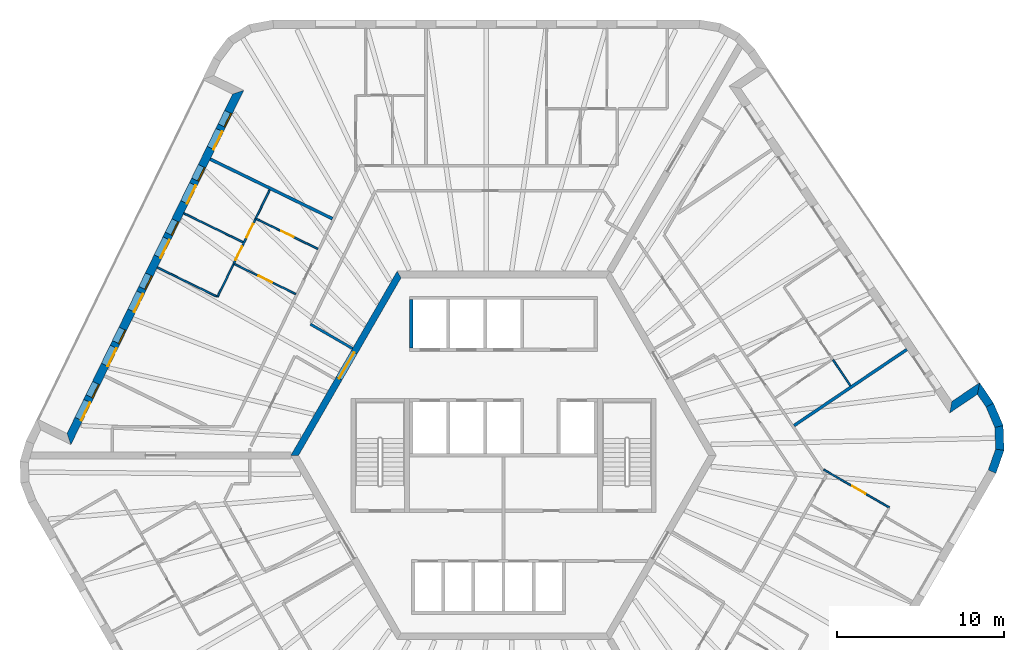
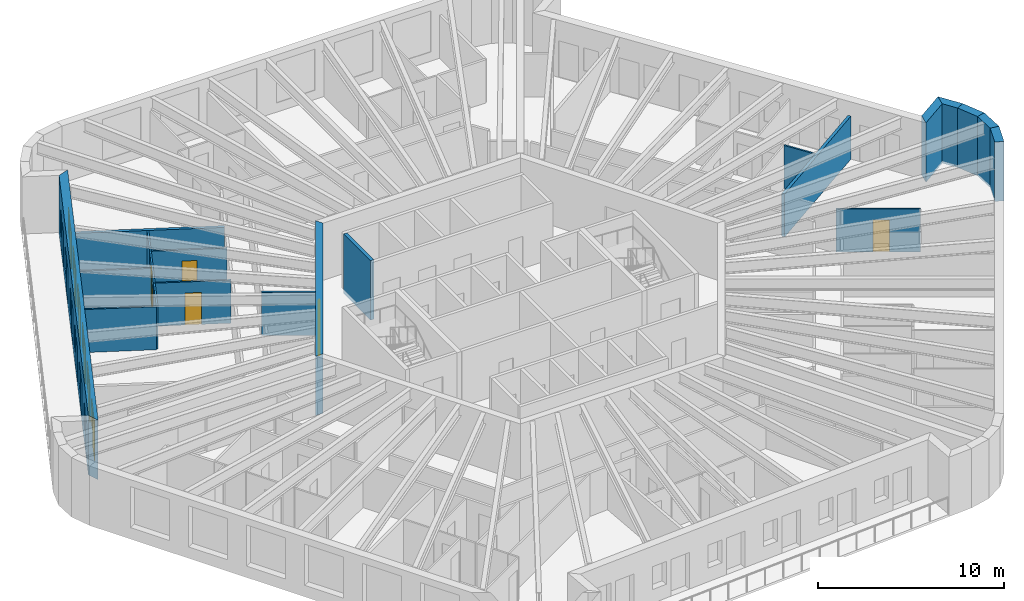
# One storey, part 8 of 12: 20 walls, 12 doors, 6 windows, 18 openings.
"""IFC4 building model written with IfcOpenShell, lengths in metres."""

from ifc_helpers import new_model, si_unit, direction, frame, frame_2d, origin, place, context, subcontext, project, spatial, polyline, rectangle, outline, extrude, material, layer, layer_set, type_object, element, fill, save


model = new_model("IFC4")

# Units and contexts
model_context = context("Model", 3, precision=1e-05, world=origin(), true_north=direction((0.0, 1.0)))
body_context = subcontext(model_context, "Body", "Model", "MODEL_VIEW")
ifc_project = project(units=[si_unit("LENGTHUNIT", "METRE"), si_unit("AREAUNIT", "SQUARE_METRE"), si_unit("VOLUMEUNIT", "CUBIC_METRE"), si_unit("PLANEANGLEUNIT", "RADIAN"), si_unit("MASSUNIT", "GRAM", prefix="KILO")], contexts=[model_context])

# Site, building, storey
site_placement = place(None, origin())
site = spatial("IfcSite", under=ifc_project, at=site_placement, CompositionType="ELEMENT")
building_placement = place(site_placement, origin())
building = spatial("IfcBuilding", under=site, at=building_placement, Name="Tarnside Tower", CompositionType="ELEMENT")
storey_placement = place(building_placement, frame((0.0, 0.0, 264.0)))
storey = spatial("IfcBuildingStorey", under=building, at=storey_placement, Name="L63", CompositionType="ELEMENT", Elevation=264.0)

# Wall, opening, door
ifc_material_1 = material(Name="Gypsum board partition on steel studs", Category="steel")
ifc_layer_1 = layer(ifc_material_1, 0.10009765625)
ifc_layer_set_1 = layer_set([ifc_layer_1], Name="Bathroom wall 100")
wall_type_1 = type_object("IfcWallType", Name="Bathroom wall 100", PredefinedType="PARTITIONING", material=ifc_layer_set_1)
wall_1_placement = place(storey_placement, frame((-11.09033203125, 12.334716796875, 0.0), z_axis=(0.0, 0.0, 1.0), x_axis=(-0.898787215731, 0.438385151252, 0.0)))
wall_1 = element("IfcWall", 1, at=wall_1_placement, inside=storey, type_object=wall_type_1, Name="Bathroom wall 20102", PredefinedType="PARTITIONING", context=body_context, shape_type="SweptSolid", body=[
    extrude(rectangle(XDim=4.125, YDim=0.10009765625, at=frame_2d((2.0625, 0.0))), origin(), (0.0, 0.0, 1.0), 2.823486328125),
])
opening_1_placement = place(wall_1_placement, frame((1.625, 0.0, 0.0)))
opening_1 = element("IfcOpeningElement", 2, at=opening_1_placement, cuts=wall_1, Name="Opening D-B1", PredefinedType="OPENING", context=body_context, shape_type="SweptSolid", body=[
    extrude(rectangle(XDim=0.800048828125, YDim=2.10009765625, at=frame_2d((0.39990234375, 1.050048828125))), frame((0.0, 0.06005859375, 0.0), z_axis=(0.0, -1.0, 0.0), x_axis=(1.0, 0.0, 0.0)), (0.0, 0.0, 1.0), 0.1201171875),
])
ifc_material_2 = material(Name="Timber door leaf", Category="wood")
door_type_1 = type_object("IfcDoorType", Name="Bathroom door 800", OperationType="NOTDEFINED", PredefinedType="DOOR", material=ifc_material_2)
door_1_placement = place(opening_1_placement, origin())
door_1 = element("IfcDoor", 3, at=door_1_placement, inside=storey, type_object=door_type_1, Name="Bathroom door 20016", OperationType="SINGLE_SWING_RIGHT", OverallHeight=2.10009765625, OverallWidth=0.800048828125, PredefinedType="DOOR", context=body_context, shape_type="SweptSolid", body=[
    extrude(rectangle(XDim=0.800048828125, YDim=2.10009765625, at=frame_2d((0.39990234375, 1.050048828125))), frame((0.0, 0.02490234375, 0.0), z_axis=(0.0, -1.0, 0.0), x_axis=(1.0, 0.0, 0.0)), (0.0, 0.0, 1.0), 0.050048828125),
])
fill(opening_1, door_1)

# Walls
wall_2_placement = place(storey_placement, frame((-13.96044921875, 15.859619140625, 0.0), z_axis=(0.0, 0.0, 1.0), x_axis=(-0.438355705964, -0.898801577128, 0.0)))
element("IfcWall", 4, at=wall_2_placement, inside=storey, type_object=wall_type_1, Name="Bathroom wall 20105", PredefinedType="PARTITIONING", context=body_context, shape_type="SweptSolid", body=[
    extrude(rectangle(XDim=1.912109375, YDim=0.10009765625, at=frame_2d((0.9560546875, 0.0))), origin(), (0.0, 0.0, 1.0), 2.823486328125),
])
wall_3_placement = place(storey_placement, frame((20.715087890625, 4.16015625, 0.0), z_axis=(0.0, 0.0, 1.0), x_axis=(-0.559200351269, 0.829032548903, 0.0)))
element("IfcWall", 5, at=wall_3_placement, inside=storey, type_object=wall_type_1, Name="Bathroom wall 20166", PredefinedType="PARTITIONING", context=body_context, shape_type="SweptSolid", body=[
    extrude(rectangle(XDim=1.862060546875, YDim=0.10009765625, at=frame_2d((0.93115234375, 0.0))), origin(), (0.0, 0.0, 1.0), 2.823486328125),
])

# Wall, opening, door
ifc_material_3 = material(Name="Concrete C60/75", Category="concrete")
ifc_layer_2 = layer(ifc_material_3, 0.39990234375)
ifc_layer_set_2 = layer_set([ifc_layer_2], Name="Core wall Z3 400 C60/75")
wall_type_2 = type_object("IfcWallType", Name="Core wall Z3 400 C60/75", PredefinedType="SHEAR", material=ifc_layer_set_2)
wall_4_placement = place(storey_placement, frame((-6.2353515625, 10.800048828125, -0.14990234375), z_axis=(0.0, 0.0, 1.0), x_axis=(-0.499996419489, -0.866027470984, 0.0)))
wall_4 = element("IfcWall", 6, at=wall_4_placement, inside=storey, type_object=wall_type_2, Name="L63 core wall face 2", PredefinedType="SHEAR", context=body_context, shape_type="SweptSolid", body=[
    extrude(outline(polyline([(-0.115478515625, -0.199951171875), (12.586181640625, -0.199951171875), (12.355224609375, 0.199951171875), (0.115478515625, 0.199951171875), (-0.115478515625, -0.199951171875)])), origin(), (0.0, 0.0, 1.0), 3.89990234375),
])
opening_2_placement = place(wall_4_placement, frame((5.3642578125, 0.0, 0.14990234375)))
opening_2 = element("IfcOpeningElement", 7, at=opening_2_placement, cuts=wall_4, Name="Opening CD-LOB", PredefinedType="OPENING", context=body_context, shape_type="SweptSolid", body=[
    extrude(rectangle(XDim=1.800048828125, YDim=2.39990234375, at=frame_2d((0.89990234375, 1.199951171875))), frame((0.0, 0.2099609375, 0.0), z_axis=(0.0, -1.0, 0.0), x_axis=(1.0, 0.0, 0.0)), (0.0, 0.0, 1.0), 0.419921875),
])
ifc_material_4 = material(Name="Steel fire door", Category="steel")
door_type_2 = type_object("IfcDoorType", Name="Lobby double door FD30S 1800x2400", OperationType="NOTDEFINED", PredefinedType="DOOR", material=ifc_material_4)
door_2_placement = place(opening_2_placement, origin())
door_2 = element("IfcDoor", 8, at=door_2_placement, inside=storey, type_object=door_type_2, Name="L63 core door P1", OperationType="DOUBLE_DOOR_SINGLE_SWING", OverallHeight=2.39990234375, OverallWidth=1.800048828125, PredefinedType="DOOR", context=body_context, shape_type="SweptSolid", body=[
    extrude(rectangle(XDim=1.800048828125, YDim=2.39990234375, at=frame_2d((0.89990234375, 1.199951171875))), frame((0.0, 0.02490234375, 0.0), z_axis=(0.0, -1.0, 0.0), x_axis=(1.0, 0.0, 0.0)), (0.0, 0.0, 1.0), 0.050048828125),
])
fill(opening_2, door_2)

# Walls
ifc_layer_3 = layer(ifc_material_1, 0.14990234375)
ifc_layer_set_3 = layer_set([ifc_layer_3], Name="Corridor wall 150 EI 60")
wall_type_3 = type_object("IfcWallType", Name="Corridor wall 150 EI 60", PredefinedType="PARTITIONING", material=ifc_layer_set_3)
wall_5_placement = place(storey_placement, frame((-9.015625, 6.38427734375, 0.0), z_axis=(0.0, 0.0, 1.0), x_axis=(-0.866010648346, 0.500025556299, 0.0)))
element("IfcWall", 9, at=wall_5_placement, inside=storey, type_object=wall_type_3, Name="Corridor wall 20017", PredefinedType="PARTITIONING", context=body_context, shape_type="SweptSolid", body=[
    extrude(rectangle(XDim=2.905029296875, YDim=0.14990234375, at=frame_2d((1.45263671875, 0.0))), origin(), (0.0, 0.0, 1.0), 2.823486328125),
])
ifc_layer_4 = layer(ifc_material_1, 0.179931640625)
ifc_layer_set_4 = layer_set([ifc_layer_4], Name="Demising wall 180 EI 60")
wall_type_4 = type_object("IfcWallType", Name="Demising wall 180 EI 60", PredefinedType="PARTITIONING", material=ifc_layer_set_4)
for number, where, z_axis, x_axis, name in (
    (10, (-17.51611328125, 17.694091796875, 0.0), (0.0, 0.0, 1.0), (0.898794723364, -0.438369758597, 0.0), "Demising wall 20093"),
    (11, (24.08154296875, 6.322509765625, 0.0), (0.0, 0.0, 1.0), (-0.829033253898, -0.55919930609, 0.0), "Demising wall 20154"),
):
    element("IfcWall", number, at=place(storey_placement, frame(where, z_axis=z_axis, x_axis=x_axis)), inside=storey, type_object=wall_type_4, Name=name, PredefinedType="PARTITIONING", context=body_context, shape_type="SweptSolid", body=[
        extrude(rectangle(XDim=8.125, YDim=0.179931640625, at=frame_2d((4.0625, 0.0))), origin(), (0.0, 0.0, 1.0), 2.823486328125),
    ])
ifc_material_5 = material(Name="Concrete C40/50", Category="concrete")
ifc_layer_5 = layer(ifc_material_5, 0.199951171875)
ifc_layer_set_5 = layer_set([ifc_layer_5], Name="Lift shaft wall 200 C40/50")
wall_type_5 = type_object("IfcWallType", Name="Lift shaft wall 200 C40/50", PredefinedType="SHEAR", material=ifc_layer_set_5)
wall_6_placement = place(storey_placement, frame((-5.5, 6.39990234375, -0.25), z_axis=(0.0, 0.0, 1.0), x_axis=(0.0, 1.0, 0.0)))
element("IfcWall", 12, at=wall_6_placement, inside=storey, type_object=wall_type_5, Name="L63 lift shaft partition R11", PredefinedType="SHEAR", context=body_context, shape_type="SweptSolid", body=[
    extrude(rectangle(XDim=2.900146484375, YDim=0.199951171875, at=frame_2d((1.4501953125, 0.0))), origin(), (0.0, 0.0, 1.0), 3.89990234375),
])

# Wall, openings, doors, windows
ifc_material_6 = material(Name="Dark zinc cladding")
ifc_layer_6 = layer(ifc_material_6, 0.10205078125)
ifc_material_7 = material(Name="Concrete C60/75 precast", Category="concrete")
ifc_layer_7 = layer(ifc_material_7, 0.298095703125)
ifc_material_8 = material(Name="Mineral wool insulation")
ifc_layer_8 = layer(ifc_material_8, 0.10009765625)
ifc_layer_set_6 = layer_set([ifc_layer_6, ifc_layer_7, ifc_layer_8], Name="Loggia wall 500 zinc faced")
wall_type_6 = type_object("IfcWallType", Name="Loggia wall 500 zinc faced", PredefinedType="SOLIDWALL", material=ifc_layer_set_6)
wall_7_placement = place(storey_placement, frame((-15.845947265625, 21.6884765625, -0.14990234375), z_axis=(0.0, 0.0, 1.0), x_axis=(-0.438377502627, -0.898790946322, 0.0)))
wall_7 = element("IfcWall", 13, at=wall_7_placement, inside=storey, type_object=wall_type_6, Name="Tube wall L63 F2 back 06", PredefinedType="SOLIDWALL", context=body_context, shape_type="SweptSolid", body=[
    extrude(outline(polyline([(0.25, -0.25), (22.794677734375, -0.25), (23.294677734375, 0.25), (-0.25, 0.25), (0.25, -0.25)])), origin(), (0.0, 0.0, 1.0), 3.89990234375),
])
opening_3_placement = place(wall_7_placement, frame((1.322509765625, 0.0, 1.050048828125)))
opening_3 = element("IfcOpeningElement", 14, at=opening_3_placement, cuts=wall_7, Name="Opening WL500", PredefinedType="OPENING", context=body_context, shape_type="SweptSolid", body=[
    extrude(rectangle(XDim=0.89990234375, YDim=1.5, at=frame_2d((0.449951171875, 0.75))), frame((0.0, 0.260009765625, 0.0), z_axis=(0.0, -1.0, 0.0), x_axis=(1.0, 0.0, 0.0)), (0.0, 0.0, 1.0), 0.52001953125),
])
opening_4_placement = place(wall_7_placement, frame((2.5224609375, 0.0, 0.14990234375)))
opening_4 = element("IfcOpeningElement", 15, at=opening_4_placement, cuts=wall_7, Name="Opening DB500", PredefinedType="OPENING", context=body_context, shape_type="SweptSolid", body=[
    extrude(rectangle(XDim=1.199951171875, YDim=2.39990234375, at=frame_2d((0.60009765625, 1.199951171875))), frame((0.0, 0.260009765625, 0.0), z_axis=(0.0, -1.0, 0.0), x_axis=(1.0, 0.0, 0.0)), (0.0, 0.0, 1.0), 0.52001953125),
])
opening_5_placement = place(wall_7_placement, frame((4.92236328125, 0.0, 1.050048828125)))
opening_5 = element("IfcOpeningElement", 16, at=opening_5_placement, cuts=wall_7, Name="Opening WL500", PredefinedType="OPENING", context=body_context, shape_type="SweptSolid", body=[
    extrude(rectangle(XDim=0.89990234375, YDim=1.5, at=frame_2d((0.449951171875, 0.75))), frame((0.0, 0.260009765625, 0.0), z_axis=(0.0, -1.0, 0.0), x_axis=(1.0, 0.0, 0.0)), (0.0, 0.0, 1.0), 0.52001953125),
])
opening_6_placement = place(wall_7_placement, frame((6.122314453125, 0.0, 0.14990234375)))
opening_6 = element("IfcOpeningElement", 17, at=opening_6_placement, cuts=wall_7, Name="Opening DB500", PredefinedType="OPENING", context=body_context, shape_type="SweptSolid", body=[
    extrude(rectangle(XDim=1.199951171875, YDim=2.39990234375, at=frame_2d((0.60009765625, 1.199951171875))), frame((0.0, 0.260009765625, 0.0), z_axis=(0.0, -1.0, 0.0), x_axis=(1.0, 0.0, 0.0)), (0.0, 0.0, 1.0), 0.52001953125),
])
opening_7_placement = place(wall_7_placement, frame((8.5224609375, 0.0, 1.050048828125)))
opening_7 = element("IfcOpeningElement", 18, at=opening_7_placement, cuts=wall_7, Name="Opening WL500", PredefinedType="OPENING", context=body_context, shape_type="SweptSolid", body=[
    extrude(rectangle(XDim=0.89990234375, YDim=1.5, at=frame_2d((0.449951171875, 0.75))), frame((0.0, 0.260009765625, 0.0), z_axis=(0.0, -1.0, 0.0), x_axis=(1.0, 0.0, 0.0)), (0.0, 0.0, 1.0), 0.52001953125),
])
opening_8_placement = place(wall_7_placement, frame((9.722412109375, 0.0, 0.14990234375)))
opening_8 = element("IfcOpeningElement", 19, at=opening_8_placement, cuts=wall_7, Name="Opening DB500", PredefinedType="OPENING", context=body_context, shape_type="SweptSolid", body=[
    extrude(rectangle(XDim=1.199951171875, YDim=2.39990234375, at=frame_2d((0.60009765625, 1.199951171875))), frame((0.0, 0.260009765625, 0.0), z_axis=(0.0, -1.0, 0.0), x_axis=(1.0, 0.0, 0.0)), (0.0, 0.0, 1.0), 0.52001953125),
])
opening_9_placement = place(wall_7_placement, frame((12.122314453125, 0.0, 1.050048828125)))
opening_9 = element("IfcOpeningElement", 20, at=opening_9_placement, cuts=wall_7, Name="Opening WL500", PredefinedType="OPENING", context=body_context, shape_type="SweptSolid", body=[
    extrude(rectangle(XDim=0.89990234375, YDim=1.5, at=frame_2d((0.449951171875, 0.75))), frame((0.0, 0.260009765625, 0.0), z_axis=(0.0, -1.0, 0.0), x_axis=(1.0, 0.0, 0.0)), (0.0, 0.0, 1.0), 0.52001953125),
])
opening_10_placement = place(wall_7_placement, frame((13.322509765625, 0.0, 0.14990234375)))
opening_10 = element("IfcOpeningElement", 21, at=opening_10_placement, cuts=wall_7, Name="Opening DB500", PredefinedType="OPENING", context=body_context, shape_type="SweptSolid", body=[
    extrude(rectangle(XDim=1.199951171875, YDim=2.39990234375, at=frame_2d((0.60009765625, 1.199951171875))), frame((0.0, 0.260009765625, 0.0), z_axis=(0.0, -1.0, 0.0), x_axis=(1.0, 0.0, 0.0)), (0.0, 0.0, 1.0), 0.52001953125),
])
opening_11_placement = place(wall_7_placement, frame((15.722412109375, 0.0, 1.050048828125)))
opening_11 = element("IfcOpeningElement", 22, at=opening_11_placement, cuts=wall_7, Name="Opening WL500", PredefinedType="OPENING", context=body_context, shape_type="SweptSolid", body=[
    extrude(rectangle(XDim=0.89990234375, YDim=1.5, at=frame_2d((0.449951171875, 0.75))), frame((0.0, 0.260009765625, 0.0), z_axis=(0.0, -1.0, 0.0), x_axis=(1.0, 0.0, 0.0)), (0.0, 0.0, 1.0), 0.52001953125),
])
opening_12_placement = place(wall_7_placement, frame((16.92236328125, 0.0, 0.14990234375)))
opening_12 = element("IfcOpeningElement", 23, at=opening_12_placement, cuts=wall_7, Name="Opening DB500", PredefinedType="OPENING", context=body_context, shape_type="SweptSolid", body=[
    extrude(rectangle(XDim=1.199951171875, YDim=2.39990234375, at=frame_2d((0.60009765625, 1.199951171875))), frame((0.0, 0.260009765625, 0.0), z_axis=(0.0, -1.0, 0.0), x_axis=(1.0, 0.0, 0.0)), (0.0, 0.0, 1.0), 0.52001953125),
])
opening_13_placement = place(wall_7_placement, frame((19.322509765625, 0.0, 1.050048828125)))
opening_13 = element("IfcOpeningElement", 24, at=opening_13_placement, cuts=wall_7, Name="Opening WL500", PredefinedType="OPENING", context=body_context, shape_type="SweptSolid", body=[
    extrude(rectangle(XDim=0.89990234375, YDim=1.5, at=frame_2d((0.449951171875, 0.75))), frame((0.0, 0.260009765625, 0.0), z_axis=(0.0, -1.0, 0.0), x_axis=(1.0, 0.0, 0.0)), (0.0, 0.0, 1.0), 0.52001953125),
])
opening_14_placement = place(wall_7_placement, frame((20.5224609375, 0.0, 0.14990234375)))
opening_14 = element("IfcOpeningElement", 25, at=opening_14_placement, cuts=wall_7, Name="Opening DB500", PredefinedType="OPENING", context=body_context, shape_type="SweptSolid", body=[
    extrude(rectangle(XDim=1.199951171875, YDim=2.39990234375, at=frame_2d((0.60009765625, 1.199951171875))), frame((0.0, 0.260009765625, 0.0), z_axis=(0.0, -1.0, 0.0), x_axis=(1.0, 0.0, 0.0)), (0.0, 0.0, 1.0), 0.52001953125),
])
ifc_material_9 = material(Name="Aluminium-framed double glazing", Category="aluminium")
door_type_3 = type_object("IfcDoorType", Name="Balcony sliding door 1200 x 2400 in 500 wall", OperationType="SLIDING_TO_LEFT", PredefinedType="DOOR", material=ifc_material_9)
door_3_placement = place(opening_4_placement, frame((0.0, 0.1748046875, 0.0)))
door_3 = element("IfcDoor", 26, at=door_3_placement, inside=storey, type_object=door_type_3, Name="E.BD.L63.F2.00", OperationType="SLIDING_TO_LEFT", OverallHeight=2.39990234375, OverallWidth=1.199951171875, PredefinedType="DOOR", context=body_context, shape_type="SweptSolid", body=[
    extrude(rectangle(XDim=1.199951171875, YDim=2.39990234375, at=frame_2d((0.60009765625, 1.199951171875))), frame((0.0, 0.02490234375, 0.0), z_axis=(0.0, -1.0, 0.0), x_axis=(1.0, 0.0, 0.0)), (0.0, 0.0, 1.0), 0.050048828125),
])
fill(opening_4, door_3)
door_4_placement = place(opening_6_placement, frame((0.0, 0.1748046875, 0.0)))
door_4 = element("IfcDoor", 27, at=door_4_placement, inside=storey, type_object=door_type_3, Name="E.BD.L63.F2.01", OperationType="SLIDING_TO_LEFT", OverallHeight=2.39990234375, OverallWidth=1.199951171875, PredefinedType="DOOR", context=body_context, shape_type="SweptSolid", body=[
    extrude(rectangle(XDim=1.199951171875, YDim=2.39990234375, at=frame_2d((0.60009765625, 1.199951171875))), frame((0.0, 0.02490234375, 0.0), z_axis=(0.0, -1.0, 0.0), x_axis=(1.0, 0.0, 0.0)), (0.0, 0.0, 1.0), 0.050048828125),
])
fill(opening_6, door_4)
door_5_placement = place(opening_8_placement, frame((0.0, 0.1748046875, 0.0)))
door_5 = element("IfcDoor", 28, at=door_5_placement, inside=storey, type_object=door_type_3, Name="E.BD.L63.F2.02", OperationType="SLIDING_TO_LEFT", OverallHeight=2.39990234375, OverallWidth=1.199951171875, PredefinedType="DOOR", context=body_context, shape_type="SweptSolid", body=[
    extrude(rectangle(XDim=1.199951171875, YDim=2.39990234375, at=frame_2d((0.60009765625, 1.199951171875))), frame((0.0, 0.02490234375, 0.0), z_axis=(0.0, -1.0, 0.0), x_axis=(1.0, 0.0, 0.0)), (0.0, 0.0, 1.0), 0.050048828125),
])
fill(opening_8, door_5)
door_6_placement = place(opening_10_placement, frame((0.0, 0.1748046875, 0.0)))
door_6 = element("IfcDoor", 29, at=door_6_placement, inside=storey, type_object=door_type_3, Name="E.BD.L63.F2.03", OperationType="SLIDING_TO_LEFT", OverallHeight=2.39990234375, OverallWidth=1.199951171875, PredefinedType="DOOR", context=body_context, shape_type="SweptSolid", body=[
    extrude(rectangle(XDim=1.199951171875, YDim=2.39990234375, at=frame_2d((0.60009765625, 1.199951171875))), frame((0.0, 0.02490234375, 0.0), z_axis=(0.0, -1.0, 0.0), x_axis=(1.0, 0.0, 0.0)), (0.0, 0.0, 1.0), 0.050048828125),
])
fill(opening_10, door_6)
door_7_placement = place(opening_12_placement, frame((0.0, 0.1748046875, 0.0)))
door_7 = element("IfcDoor", 30, at=door_7_placement, inside=storey, type_object=door_type_3, Name="E.BD.L63.F2.04", OperationType="SLIDING_TO_LEFT", OverallHeight=2.39990234375, OverallWidth=1.199951171875, PredefinedType="DOOR", context=body_context, shape_type="SweptSolid", body=[
    extrude(rectangle(XDim=1.199951171875, YDim=2.39990234375, at=frame_2d((0.60009765625, 1.199951171875))), frame((0.0, 0.02490234375, 0.0), z_axis=(0.0, -1.0, 0.0), x_axis=(1.0, 0.0, 0.0)), (0.0, 0.0, 1.0), 0.050048828125),
])
fill(opening_12, door_7)
door_8_placement = place(opening_14_placement, frame((0.0, 0.1748046875, 0.0)))
door_8 = element("IfcDoor", 31, at=door_8_placement, inside=storey, type_object=door_type_3, Name="E.BD.L63.F2.05", OperationType="SLIDING_TO_LEFT", OverallHeight=2.39990234375, OverallWidth=1.199951171875, PredefinedType="DOOR", context=body_context, shape_type="SweptSolid", body=[
    extrude(rectangle(XDim=1.199951171875, YDim=2.39990234375, at=frame_2d((0.60009765625, 1.199951171875))), frame((0.0, 0.02490234375, 0.0), z_axis=(0.0, -1.0, 0.0), x_axis=(1.0, 0.0, 0.0)), (0.0, 0.0, 1.0), 0.050048828125),
])
fill(opening_14, door_8)
window_type = type_object("IfcWindowType", Name="Loggia window 900 x 1500 in 500 wall", PartitioningType="SINGLE_PANEL", PredefinedType="WINDOW", material=ifc_material_9)
window_1_placement = place(opening_3_placement, frame((0.0, 0.179931640625, 0.0)))
window_1 = element("IfcWindow", 32, at=window_1_placement, inside=storey, type_object=window_type, Name="E.LW.L63.F2.00", OverallHeight=1.5, OverallWidth=0.89990234375, PartitioningType="SINGLE_PANEL", PredefinedType="WINDOW", context=body_context, shape_type="SweptSolid", body=[
    extrude(rectangle(XDim=0.89990234375, YDim=1.5, at=frame_2d((0.449951171875, 0.75))), frame((0.0, 0.030029296875, 0.0), z_axis=(0.0, -1.0, 0.0), x_axis=(1.0, 0.0, 0.0)), (0.0, 0.0, 1.0), 0.06005859375),
])
fill(opening_3, window_1)
window_2_placement = place(opening_5_placement, frame((0.0, 0.179931640625, 0.0)))
window_2 = element("IfcWindow", 33, at=window_2_placement, inside=storey, type_object=window_type, Name="E.LW.L63.F2.01", OverallHeight=1.5, OverallWidth=0.89990234375, PartitioningType="SINGLE_PANEL", PredefinedType="WINDOW", context=body_context, shape_type="SweptSolid", body=[
    extrude(rectangle(XDim=0.89990234375, YDim=1.5, at=frame_2d((0.449951171875, 0.75))), frame((0.0, 0.030029296875, 0.0), z_axis=(0.0, -1.0, 0.0), x_axis=(1.0, 0.0, 0.0)), (0.0, 0.0, 1.0), 0.06005859375),
])
fill(opening_5, window_2)
window_3_placement = place(opening_7_placement, frame((0.0, 0.179931640625, 0.0)))
window_3 = element("IfcWindow", 34, at=window_3_placement, inside=storey, type_object=window_type, Name="E.LW.L63.F2.02", OverallHeight=1.5, OverallWidth=0.89990234375, PartitioningType="SINGLE_PANEL", PredefinedType="WINDOW", context=body_context, shape_type="SweptSolid", body=[
    extrude(rectangle(XDim=0.89990234375, YDim=1.5, at=frame_2d((0.449951171875, 0.75))), frame((0.0, 0.030029296875, 0.0), z_axis=(0.0, -1.0, 0.0), x_axis=(1.0, 0.0, 0.0)), (0.0, 0.0, 1.0), 0.06005859375),
])
fill(opening_7, window_3)
window_4_placement = place(opening_9_placement, frame((0.0, 0.179931640625, 0.0)))
window_4 = element("IfcWindow", 35, at=window_4_placement, inside=storey, type_object=window_type, Name="E.LW.L63.F2.03", OverallHeight=1.5, OverallWidth=0.89990234375, PartitioningType="SINGLE_PANEL", PredefinedType="WINDOW", context=body_context, shape_type="SweptSolid", body=[
    extrude(rectangle(XDim=0.89990234375, YDim=1.5, at=frame_2d((0.449951171875, 0.75))), frame((0.0, 0.030029296875, 0.0), z_axis=(0.0, -1.0, 0.0), x_axis=(1.0, 0.0, 0.0)), (0.0, 0.0, 1.0), 0.06005859375),
])
fill(opening_9, window_4)
window_5_placement = place(opening_11_placement, frame((0.0, 0.179931640625, 0.0)))
window_5 = element("IfcWindow", 36, at=window_5_placement, inside=storey, type_object=window_type, Name="E.LW.L63.F2.04", OverallHeight=1.5, OverallWidth=0.89990234375, PartitioningType="SINGLE_PANEL", PredefinedType="WINDOW", context=body_context, shape_type="SweptSolid", body=[
    extrude(rectangle(XDim=0.89990234375, YDim=1.5, at=frame_2d((0.449951171875, 0.75))), frame((0.0, 0.030029296875, 0.0), z_axis=(0.0, -1.0, 0.0), x_axis=(1.0, 0.0, 0.0)), (0.0, 0.0, 1.0), 0.06005859375),
])
fill(opening_11, window_5)
window_6_placement = place(opening_13_placement, frame((0.0, 0.179931640625, 0.0)))
window_6 = element("IfcWindow", 37, at=window_6_placement, inside=storey, type_object=window_type, Name="E.LW.L63.F2.05", OverallHeight=1.5, OverallWidth=0.89990234375, PartitioningType="SINGLE_PANEL", PredefinedType="WINDOW", context=body_context, shape_type="SweptSolid", body=[
    extrude(rectangle(XDim=0.89990234375, YDim=1.5, at=frame_2d((0.449951171875, 0.75))), frame((0.0, 0.030029296875, 0.0), z_axis=(0.0, -1.0, 0.0), x_axis=(1.0, 0.0, 0.0)), (0.0, 0.0, 1.0), 0.06005859375),
])
fill(opening_13, window_6)

# Walls
wall_8_placement = place(storey_placement, frame((29.034912109375, 3.00244140625, -0.14990234375), z_axis=(0.0, 0.0, 1.0), x_axis=(-0.559200218553, 0.829032638423, 0.0)))
element("IfcWall", 38, at=wall_8_placement, inside=storey, type_object=wall_type_6, Name="Tube wall L63 F6 stub 28", PredefinedType="SOLIDWALL", context=body_context, shape_type="SweptSolid", body=[
    extrude(outline(polyline([(-0.0234375, -0.25), (1.44970703125, -0.25), (0.94970703125, 0.25), (0.0234375, 0.25), (-0.0234375, -0.25)])), origin(), (0.0, 0.0, 1.0), 3.89990234375),
])
wall_9_placement = place(storey_placement, frame((28.364013671875, 3.9970703125, -0.14990234375), z_axis=(0.0, 0.0, 1.0), x_axis=(-0.829108975345, -0.5590870299, 0.0)))
element("IfcWall", 39, at=wall_9_placement, inside=storey, type_object=wall_type_6, Name="Tube wall L63 F6 return 29", PredefinedType="SOLIDWALL", context=body_context, shape_type="SweptSolid", body=[
    extrude(outline(polyline([(-0.25, -0.25), (1.75, -0.25), (2.25, 0.25), (0.25, 0.25), (-0.25, -0.25)])), origin(), (0.0, 0.0, 1.0), 3.89990234375),
])

# Wall, opening, door
ifc_layer_9 = layer(ifc_material_1, 0.10009765625)
ifc_layer_set_7 = layer_set([ifc_layer_9], Name="Partition 100")
wall_type_7 = type_object("IfcWallType", Name="Partition 100", PredefinedType="PARTITIONING", material=ifc_layer_set_7)
wall_10_placement = place(storey_placement, frame((-12.4052734375, 9.638427734375, 0.0), z_axis=(0.0, 0.0, 1.0), x_axis=(-0.898810534939, 0.438337338454, 0.0)))
wall_10 = element("IfcWall", 40, at=wall_10_placement, inside=storey, type_object=wall_type_7, Name="Partition wall 20098", PredefinedType="PARTITIONING", context=body_context, shape_type="SweptSolid", body=[
    extrude(rectangle(XDim=4.125, YDim=0.10009765625, at=frame_2d((2.0625, 0.0))), origin(), (0.0, 0.0, 1.0), 2.823486328125),
])
opening_15_placement = place(wall_10_placement, frame((1.574951171875, 0.0, 0.0)))
opening_15 = element("IfcOpeningElement", 41, at=opening_15_placement, cuts=wall_10, Name="Opening D-I1", PredefinedType="OPENING", context=body_context, shape_type="SweptSolid", body=[
    extrude(rectangle(XDim=0.89990234375, YDim=2.10009765625, at=frame_2d((0.449951171875, 1.050048828125))), frame((0.0, 0.06005859375, 0.0), z_axis=(0.0, -1.0, 0.0), x_axis=(1.0, 0.0, 0.0)), (0.0, 0.0, 1.0), 0.1201171875),
])
door_type_4 = type_object("IfcDoorType", Name="Internal door 900", OperationType="NOTDEFINED", PredefinedType="DOOR", material=ifc_material_2)
door_9_placement = place(opening_15_placement, origin())
door_9 = element("IfcDoor", 42, at=door_9_placement, inside=storey, type_object=door_type_4, Name="Internal door 20017", OperationType="SINGLE_SWING_RIGHT", OverallHeight=2.10009765625, OverallWidth=0.89990234375, PredefinedType="DOOR", context=body_context, shape_type="SweptSolid", body=[
    extrude(rectangle(XDim=0.89990234375, YDim=2.10009765625, at=frame_2d((0.449951171875, 1.050048828125))), frame((0.0, 0.02490234375, 0.0), z_axis=(0.0, -1.0, 0.0), x_axis=(1.0, 0.0, 0.0)), (0.0, 0.0, 1.0), 0.050048828125),
])
fill(opening_15, door_9)

# Walls
wall_11_placement = place(storey_placement, frame((-16.1337890625, 11.403564453125, 0.0), z_axis=(0.0, 0.0, 1.0), x_axis=(-0.438343168157, -0.898807691851, 0.0)))
element("IfcWall", 43, at=wall_11_placement, inside=storey, type_object=wall_type_7, Name="Partition wall 20099", PredefinedType="PARTITIONING", context=body_context, shape_type="SweptSolid", body=[
    extrude(rectangle(XDim=2.152099609375, YDim=0.10009765625, at=frame_2d((1.076171875, 0.0))), origin(), (0.0, 0.0, 1.0), 2.823486328125),
])
wall_12_placement = place(storey_placement, frame((-17.122314453125, 9.4912109375, 0.0), z_axis=(0.0, 0.0, 1.0), x_axis=(-0.89879695829, 0.438365176273, 0.0)))
element("IfcWall", 44, at=wall_12_placement, inside=storey, type_object=wall_type_7, Name="Partition wall 20100", PredefinedType="PARTITIONING", context=body_context, shape_type="SweptSolid", body=[
    extrude(rectangle(XDim=3.94970703125, YDim=0.10009765625, at=frame_2d((1.974853515625, 0.0))), origin(), (0.0, 0.0, 1.0), 2.823486328125),
])

# Wall, openings, doors
wall_13_placement = place(storey_placement, frame((-14.796875, 14.144775390625, 0.0), z_axis=(0.0, 0.0, 1.0), x_axis=(-0.438381999587, -0.898788752955, 0.0)))
wall_13 = element("IfcWall", 45, at=wall_13_placement, inside=storey, type_object=wall_type_7, Name="Partition wall 20103", PredefinedType="PARTITIONING", context=body_context, shape_type="SweptSolid", body=[
    extrude(rectangle(XDim=3.00390625, YDim=0.10009765625, at=frame_2d((1.501953125, 0.0))), origin(), (0.0, 0.0, 1.0), 2.823486328125),
])
opening_16_placement = place(wall_13_placement, frame((0.35205078125, 0.0, 0.0)))
opening_16 = element("IfcOpeningElement", 46, at=opening_16_placement, cuts=wall_13, Name="Opening D-I1", PredefinedType="OPENING", context=body_context, shape_type="SweptSolid", body=[
    extrude(rectangle(XDim=0.89990234375, YDim=2.10009765625, at=frame_2d((0.449951171875, 1.050048828125))), frame((0.0, 0.06005859375, 0.0), z_axis=(0.0, -1.0, 0.0), x_axis=(1.0, 0.0, 0.0)), (0.0, 0.0, 1.0), 0.1201171875),
])
opening_17_placement = place(wall_13_placement, frame((1.85205078125, 0.0, 0.0)))
opening_17 = element("IfcOpeningElement", 47, at=opening_17_placement, cuts=wall_13, Name="Opening D-I1", PredefinedType="OPENING", context=body_context, shape_type="SweptSolid", body=[
    extrude(rectangle(XDim=0.89990234375, YDim=2.10009765625, at=frame_2d((0.449951171875, 1.050048828125))), frame((0.0, 0.06005859375, 0.0), z_axis=(0.0, -1.0, 0.0), x_axis=(1.0, 0.0, 0.0)), (0.0, 0.0, 1.0), 0.1201171875),
])
door_10_placement = place(opening_16_placement, origin())
door_10 = element("IfcDoor", 48, at=door_10_placement, inside=storey, type_object=door_type_4, Name="Internal door 20018", OperationType="SINGLE_SWING_LEFT", OverallHeight=2.10009765625, OverallWidth=0.89990234375, PredefinedType="DOOR", context=body_context, shape_type="SweptSolid", body=[
    extrude(rectangle(XDim=0.89990234375, YDim=2.10009765625, at=frame_2d((0.449951171875, 1.050048828125))), frame((0.0, 0.02490234375, 0.0), z_axis=(0.0, -1.0, 0.0), x_axis=(1.0, 0.0, 0.0)), (0.0, 0.0, 1.0), 0.050048828125),
])
fill(opening_16, door_10)
door_11_placement = place(opening_17_placement, origin())
door_11 = element("IfcDoor", 49, at=door_11_placement, inside=storey, type_object=door_type_4, Name="Internal door 20019", OperationType="SINGLE_SWING_RIGHT", OverallHeight=2.10009765625, OverallWidth=0.89990234375, PredefinedType="DOOR", context=body_context, shape_type="SweptSolid", body=[
    extrude(rectangle(XDim=0.89990234375, YDim=2.10009765625, at=frame_2d((0.449951171875, 1.050048828125))), frame((0.0, 0.02490234375, 0.0), z_axis=(0.0, -1.0, 0.0), x_axis=(1.0, 0.0, 0.0)), (0.0, 0.0, 1.0), 0.050048828125),
])
fill(opening_17, door_11)

# Wall
wall_14_placement = place(storey_placement, frame((-19.09423828125, 14.45849609375, 0.0), z_axis=(0.0, 0.0, 1.0), x_axis=(0.898772603862, -0.438415107571, 0.0)))
element("IfcWall", 50, at=wall_14_placement, inside=storey, type_object=wall_type_7, Name="Partition wall 20106", PredefinedType="PARTITIONING", context=body_context, shape_type="SweptSolid", body=[
    extrude(rectangle(XDim=3.949951171875, YDim=0.10009765625, at=frame_2d((1.97509765625, 0.0))), origin(), (0.0, 0.0, 1.0), 2.823486328125),
])

# Wall, opening, door
wall_15_placement = place(storey_placement, frame((19.1171875, -0.84716796875, 0.0), z_axis=(0.0, 0.0, 1.0), x_axis=(0.866020997002, -0.500007632694, 0.0)))
wall_15 = element("IfcWall", 51, at=wall_15_placement, inside=storey, type_object=wall_type_7, Name="Partition wall 20151", PredefinedType="PARTITIONING", context=body_context, shape_type="SweptSolid", body=[
    extrude(rectangle(XDim=4.5205078125, YDim=0.10009765625, at=frame_2d((2.26025390625, 0.0))), origin(), (0.0, 0.0, 1.0), 2.823486328125),
])
opening_18_placement = place(wall_15_placement, frame((1.970458984375, 0.0, 0.0)))
opening_18 = element("IfcOpeningElement", 52, at=opening_18_placement, cuts=wall_15, Name="Opening D-I1", PredefinedType="OPENING", context=body_context, shape_type="SweptSolid", body=[
    extrude(rectangle(XDim=0.89990234375, YDim=2.10009765625, at=frame_2d((0.449951171875, 1.050048828125))), frame((0.0, 0.06005859375, 0.0), z_axis=(0.0, -1.0, 0.0), x_axis=(1.0, 0.0, 0.0)), (0.0, 0.0, 1.0), 0.1201171875),
])
door_12_placement = place(opening_18_placement, origin())
door_12 = element("IfcDoor", 53, at=door_12_placement, inside=storey, type_object=door_type_4, Name="Internal door 20063", OperationType="SINGLE_SWING_LEFT", OverallHeight=2.10009765625, OverallWidth=0.89990234375, PredefinedType="DOOR", context=body_context, shape_type="SweptSolid", body=[
    extrude(rectangle(XDim=0.89990234375, YDim=2.10009765625, at=frame_2d((0.449951171875, 1.050048828125))), frame((0.0, 0.02490234375, 0.0), z_axis=(0.0, -1.0, 0.0), x_axis=(1.0, 0.0, 0.0)), (0.0, 0.0, 1.0), 0.050048828125),
])
fill(opening_18, door_12)

# Walls
ifc_material_10 = material(Name="Facing brick", Category="masonry")
ifc_layer_10 = layer(ifc_material_10, 0.10205078125)
ifc_layer_11 = layer(ifc_material_7, 0.298095703125)
ifc_layer_12 = layer(ifc_material_8, 0.10009765625)
ifc_layer_set_8 = layer_set([ifc_layer_10, ifc_layer_11, ifc_layer_12], Name="Tube wall 500 brick faced")
wall_type_8 = type_object("IfcWallType", Name="Tube wall 500 brick faced", PredefinedType="SOLIDWALL", material=ifc_layer_set_8)
wall_16_placement = place(storey_placement, frame((29.173828125, -0.9697265625, -0.14990234375), z_axis=(0.0, 0.0, 1.0), x_axis=(0.330961348063, 0.943644311215, 0.0)))
element("IfcWall", 54, at=wall_16_placement, inside=storey, type_object=wall_type_8, Name="Tube wall L63 F5 chord 25", PredefinedType="SOLIDWALL", context=body_context, shape_type="SweptSolid", body=[
    extrude(outline(polyline([(-0.0234375, -0.25), (1.435302734375, -0.25), (1.341064453125, 0.25), (0.0234375, 0.25), (-0.0234375, -0.25)])), origin(), (0.0, 0.0, 1.0), 3.89990234375),
])
wall_17_placement = place(storey_placement, frame((29.63330078125, 0.34033203125, -0.14990234375), z_axis=(0.0, 0.0, 1.0), x_axis=(-0.034825746769, 0.999393399699, 0.0)))
element("IfcWall", 55, at=wall_17_placement, inside=storey, type_object=wall_type_8, Name="Tube wall L63 F5 chord 26", PredefinedType="SOLIDWALL", context=body_context, shape_type="SweptSolid", body=[
    extrude(outline(polyline([(-0.047119140625, -0.25), (1.43505859375, -0.25), (1.3408203125, 0.25), (0.047119140625, 0.25), (-0.047119140625, -0.25)])), origin(), (0.0, 0.0, 1.0), 3.89990234375),
])
wall_18_placement = place(storey_placement, frame((29.5849609375, 1.7275390625, -0.14990234375), z_axis=(0.0, 0.0, 1.0), x_axis=(-0.396146339195, 0.918187387162, 0.0)))
element("IfcWall", 56, at=wall_18_placement, inside=storey, type_object=wall_type_8, Name="Tube wall L63 F5 chord 27", PredefinedType="SOLIDWALL", context=body_context, shape_type="SweptSolid", body=[
    extrude(outline(polyline([(-0.047119140625, -0.25), (1.411865234375, -0.25), (1.364990234375, 0.25), (0.047119140625, 0.25), (-0.047119140625, -0.25)])), origin(), (0.0, 0.0, 1.0), 3.89990234375),
])

save(model, "model.ifc")
